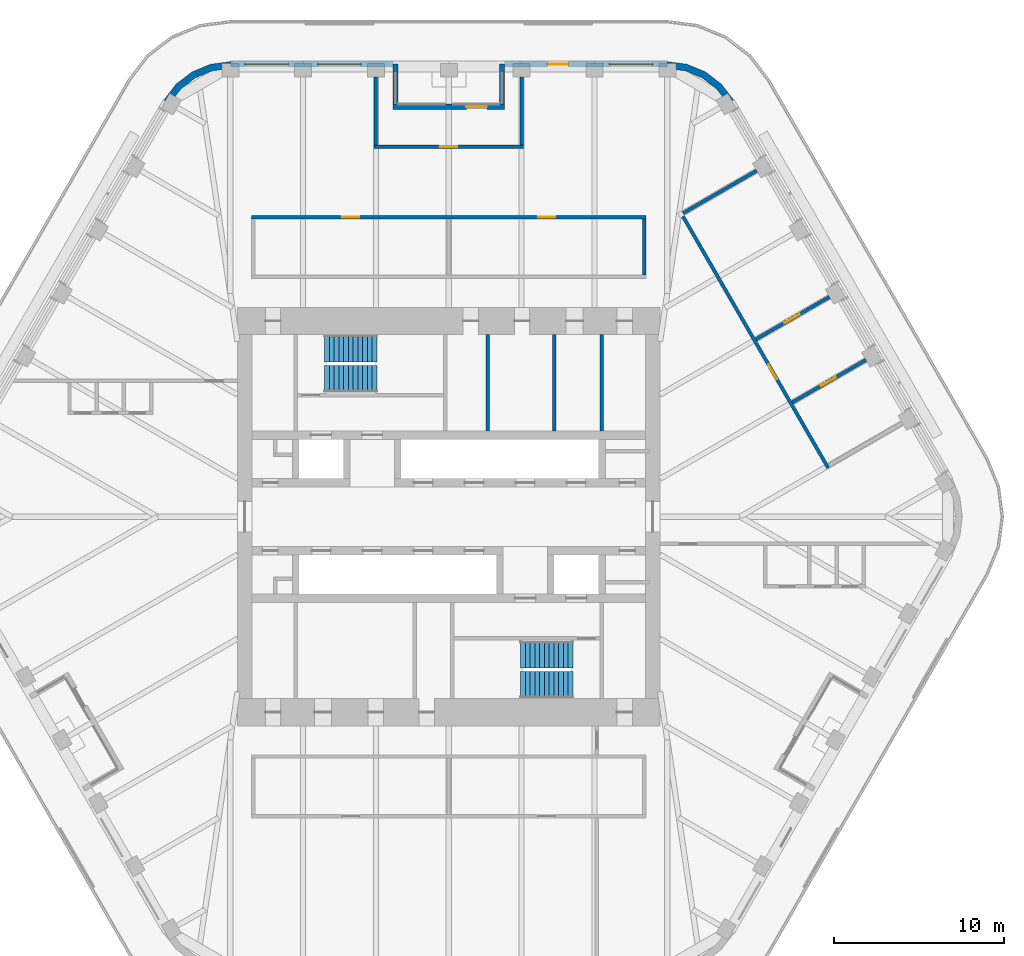
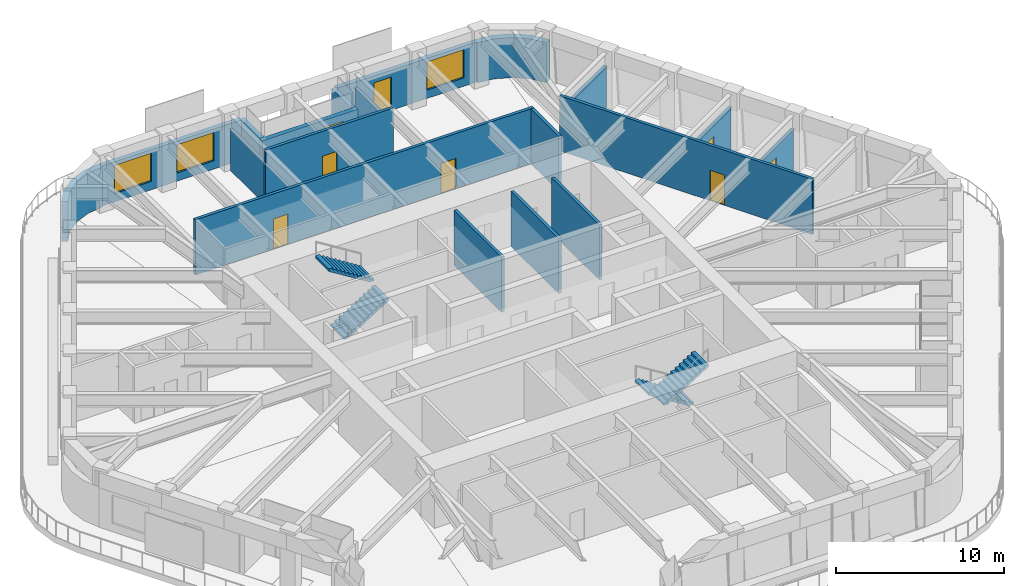
# One storey, part 16 of 19: 19 walls, 8 doors, 4 stair flights, 3 windows, 11 openings, 2 elements without a shape of their own.
"""IFC4 building model written with IfcOpenShell, lengths in metres."""

from ifc_helpers import new_model, si_unit, direction, frame, frame_2d, origin, place, context, subcontext, project, spatial, polyline, rectangle, outline, extrude, material, layer, layer_set, type_object, element, fill, aggregate, save


model = new_model("IFC4")

# Units and contexts
model_context = context("Model", 3, precision=1e-05, world=origin(), true_north=direction((0.0, 1.0)))
body_context = subcontext(model_context, "Body", "Model", "MODEL_VIEW")
ifc_project = project(units=[si_unit("LENGTHUNIT", "METRE"), si_unit("AREAUNIT", "SQUARE_METRE"), si_unit("VOLUMEUNIT", "CUBIC_METRE"), si_unit("PLANEANGLEUNIT", "RADIAN"), si_unit("MASSUNIT", "GRAM", prefix="KILO")], contexts=[model_context])

# Site, building, storey
site_placement = place(None, origin())
site = spatial("IfcSite", under=ifc_project, at=site_placement, CompositionType="ELEMENT")
building_placement = place(site_placement, origin())
building = spatial("IfcBuilding", under=site, at=building_placement, Name="Tarfa Lantern Tower", CompositionType="ELEMENT")
storey_placement = place(building_placement, frame((0.0, 0.0, 340.89990234375)))
storey = spatial("IfcBuildingStorey", under=building, at=storey_placement, Name="L77", CompositionType="ELEMENT", Elevation=340.89990234375)

# Wall, openings, door, window
ifc_material_1 = material(Name="Limestone cladding on blockwork", Category="masonry")
ifc_layer_1 = layer(ifc_material_1, 0.300048828125)
ifc_layer_set_1 = layer_set([ifc_layer_1], Name="EW1 STONE-CLAD WALL 300")
wall_type_1 = type_object("IfcWallType", Name="EW1 STONE-CLAD WALL 300", PredefinedType="SOLIDWALL", material=ifc_layer_set_1)
wall_1_placement = place(storey_placement, frame((12.845947265625, 26.60009765625, 0.0), z_axis=(0.0, 0.0, 1.0), x_axis=(-1.0, 0.0, 0.0)))
wall_1 = element("IfcWall", 1, at=wall_1_placement, inside=storey, type_object=wall_type_1, Name="Stone wall N", PredefinedType="SOLIDWALL", context=body_context, shape_type="SweptSolid", body=[
    extrude(rectangle(XDim=9.56396484375, YDim=0.300048828125, at=frame_2d((4.781982421875, 0.0))), origin(), (0.0, 0.0, 1.0), 2.900146484375),
])
opening_1_placement = place(wall_1_placement, frame((0.865966796875, 0.0, 0.60009765625)))
opening_1 = element("IfcOpeningElement", 2, at=opening_1_placement, cuts=wall_1, Name="Opening W17", PredefinedType="OPENING", context=body_context, shape_type="SweptSolid", body=[
    extrude(rectangle(XDim=2.550048828125, YDim=2.050048828125, at=frame_2d((1.27490234375, 1.02490234375))), frame((0.0, 0.159912109375, 0.0), z_axis=(0.0, -1.0, 0.0), x_axis=(1.0, 0.0, 0.0)), (0.0, 0.0, 1.0), 0.320068359375),
])
opening_2_placement = place(wall_1_placement, frame((5.822998046875, 0.0, 0.0)))
opening_2 = element("IfcOpeningElement", 3, at=opening_2_placement, cuts=wall_1, Name="Opening D38", PredefinedType="OPENING", context=body_context, shape_type="SweptSolid", body=[
    extrude(rectangle(XDim=1.199951171875, YDim=2.39990234375, at=frame_2d((0.60009765625, 1.199951171875))), frame((0.0, 0.159912109375, 0.0), z_axis=(0.0, -1.0, 0.0), x_axis=(1.0, 0.0, 0.0)), (0.0, 0.0, 1.0), 0.320068359375),
])
ifc_material_2 = material(Name="Aluminium framed glazed door", Category="aluminium")
door_type_1 = type_object("IfcDoorType", Name="BE3 BALCONY DOOR 1200x2400", OperationType="SINGLE_SWING_RIGHT", PredefinedType="DOOR", material=ifc_material_2)
door_1_placement = place(opening_2_placement, origin())
door_1 = element("IfcDoor", 4, at=door_1_placement, inside=storey, type_object=door_type_1, Name="Balcony door N", OperationType="SINGLE_SWING_LEFT", OverallHeight=2.39990234375, OverallWidth=1.199951171875, PredefinedType="DOOR", context=body_context, shape_type="SweptSolid", body=[
    extrude(rectangle(XDim=1.199951171875, YDim=2.39990234375, at=frame_2d((0.60009765625, 1.199951171875))), frame((0.0, 0.02490234375, 0.0), z_axis=(0.0, -1.0, 0.0), x_axis=(1.0, 0.0, 0.0)), (0.0, 0.0, 1.0), 0.050048828125),
])
fill(opening_2, door_1)
ifc_material_3 = material(Name="Aluminium frame, double glazed", Category="aluminium")
window_type = type_object("IfcWindowType", Name="W17 FULL-HEIGHT GLAZING 2550x2050", PartitioningType="SINGLE_PANEL", PredefinedType="WINDOW", material=ifc_material_3)
window_1_placement = place(opening_1_placement, origin())
window_1 = element("IfcWindow", 5, at=window_1_placement, inside=storey, type_object=window_type, Name="Window N 1", OverallHeight=2.050048828125, OverallWidth=2.550048828125, PartitioningType="SINGLE_PANEL", PredefinedType="WINDOW", context=body_context, shape_type="SweptSolid", body=[
    extrude(rectangle(XDim=2.550048828125, YDim=2.050048828125, at=frame_2d((1.27490234375, 1.02490234375))), frame((0.0, 0.030029296875, 0.0), z_axis=(0.0, -1.0, 0.0), x_axis=(1.0, 0.0, 0.0)), (0.0, 0.0, 1.0), 0.06005859375),
])
fill(opening_1, window_1)

# Wall, openings, windows
wall_2_placement = place(storey_placement, frame((-3.281982421875, 26.60009765625, 0.0), z_axis=(0.0, 0.0, 1.0), x_axis=(-1.0, 0.0, 0.0)))
wall_2 = element("IfcWall", 6, at=wall_2_placement, inside=storey, type_object=wall_type_1, Name="Stone wall NB", PredefinedType="SOLIDWALL", context=body_context, shape_type="SweptSolid", body=[
    extrude(rectangle(XDim=9.56396484375, YDim=0.300048828125, at=frame_2d((4.781982421875, 0.0))), origin(), (0.0, 0.0, 1.0), 2.900146484375),
])
opening_3_placement = place(wall_2_placement, frame((1.865966796875, 0.0, 0.60009765625)))
opening_3 = element("IfcOpeningElement", 7, at=opening_3_placement, cuts=wall_2, Name="Opening W17", PredefinedType="OPENING", context=body_context, shape_type="SweptSolid", body=[
    extrude(rectangle(XDim=2.550048828125, YDim=2.050048828125, at=frame_2d((1.27490234375, 1.02490234375))), frame((0.0, 0.159912109375, 0.0), z_axis=(0.0, -1.0, 0.0), x_axis=(1.0, 0.0, 0.0)), (0.0, 0.0, 1.0), 0.320068359375),
])
opening_4_placement = place(wall_2_placement, frame((6.14794921875, 0.0, 0.60009765625)))
opening_4 = element("IfcOpeningElement", 8, at=opening_4_placement, cuts=wall_2, Name="Opening W17", PredefinedType="OPENING", context=body_context, shape_type="SweptSolid", body=[
    extrude(rectangle(XDim=2.550048828125, YDim=2.050048828125, at=frame_2d((1.27490234375, 1.02490234375))), frame((0.0, 0.159912109375, 0.0), z_axis=(0.0, -1.0, 0.0), x_axis=(1.0, 0.0, 0.0)), (0.0, 0.0, 1.0), 0.320068359375),
])
window_2_placement = place(opening_3_placement, origin())
window_2 = element("IfcWindow", 9, at=window_2_placement, inside=storey, type_object=window_type, Name="Window NB 1", OverallHeight=2.050048828125, OverallWidth=2.550048828125, PartitioningType="SINGLE_PANEL", PredefinedType="WINDOW", context=body_context, shape_type="SweptSolid", body=[
    extrude(rectangle(XDim=2.550048828125, YDim=2.050048828125, at=frame_2d((1.27490234375, 1.02490234375))), frame((0.0, 0.030029296875, 0.0), z_axis=(0.0, -1.0, 0.0), x_axis=(1.0, 0.0, 0.0)), (0.0, 0.0, 1.0), 0.06005859375),
])
fill(opening_3, window_2)
window_3_placement = place(opening_4_placement, origin())
window_3 = element("IfcWindow", 10, at=window_3_placement, inside=storey, type_object=window_type, Name="Window NB 2", OverallHeight=2.050048828125, OverallWidth=2.550048828125, PartitioningType="SINGLE_PANEL", PredefinedType="WINDOW", context=body_context, shape_type="SweptSolid", body=[
    extrude(rectangle(XDim=2.550048828125, YDim=2.050048828125, at=frame_2d((1.27490234375, 1.02490234375))), frame((0.0, 0.030029296875, 0.0), z_axis=(0.0, -1.0, 0.0), x_axis=(1.0, 0.0, 0.0)), (0.0, 0.0, 1.0), 0.06005859375),
])
fill(opening_4, window_3)

# Walls
for number, where, z_axis, x_axis, name in (
    (11, (3.132080078125, 26.60009765625, 0.0), (0.0, 0.0, 1.0), (0.0, -1.0, 0.0), "Terrace return N 1"),
    (12, (-3.132080078125, 26.60009765625, 0.0), (0.0, 0.0, 1.0), (0.0, -1.0, 0.0), "Terrace return N 2"),
):
    element("IfcWall", number, at=place(storey_placement, frame(where, z_axis=z_axis, x_axis=x_axis)), inside=storey, type_object=wall_type_1, Name=name, PredefinedType="SOLIDWALL", context=body_context, shape_type="SweptSolid", body=[
        extrude(rectangle(XDim=2.35009765625, YDim=0.300048828125, at=frame_2d((1.175048828125, 0.0))), origin(), (0.0, 0.0, 1.0), 2.900146484375),
    ])

# Wall, opening, door
wall_3_placement = place(storey_placement, frame((3.281982421875, 24.10009765625, 0.0), z_axis=(0.0, 0.0, 1.0), x_axis=(-1.0, 0.0, 0.0)))
wall_3 = element("IfcWall", 13, at=wall_3_placement, inside=storey, type_object=wall_type_1, Name="Stone wall NS", PredefinedType="SOLIDWALL", context=body_context, shape_type="SweptSolid", body=[
    extrude(rectangle(XDim=6.56396484375, YDim=0.300048828125, at=frame_2d((3.281982421875, 0.0))), origin(), (0.0, 0.0, 1.0), 2.900146484375),
])
opening_5_placement = place(wall_3_placement, frame((1.041015625, 0.0, 0.0)))
opening_5 = element("IfcOpeningElement", 14, at=opening_5_placement, cuts=wall_3, Name="Opening D39", PredefinedType="OPENING", context=body_context, shape_type="SweptSolid", body=[
    extrude(rectangle(XDim=1.199951171875, YDim=2.39990234375, at=frame_2d((0.60009765625, 1.199951171875))), frame((0.0, 0.159912109375, 0.0), z_axis=(0.0, -1.0, 0.0), x_axis=(1.0, 0.0, 0.0)), (0.0, 0.0, 1.0), 0.320068359375),
])
door_2_placement = place(opening_5_placement, origin())
door_2 = element("IfcDoor", 15, at=door_2_placement, inside=storey, type_object=door_type_1, Name="Balcony door NS", OperationType="SINGLE_SWING_RIGHT", OverallHeight=2.39990234375, OverallWidth=1.199951171875, PredefinedType="DOOR", context=body_context, shape_type="SweptSolid", body=[
    extrude(rectangle(XDim=1.199951171875, YDim=2.39990234375, at=frame_2d((0.60009765625, 1.199951171875))), frame((0.0, 0.02490234375, 0.0), z_axis=(0.0, -1.0, 0.0), x_axis=(1.0, 0.0, 0.0)), (0.0, 0.0, 1.0), 0.050048828125),
])
fill(opening_5, door_2)

# Walls
ifc_layer_2 = layer(ifc_material_1, 0.39990234375)
ifc_layer_set_2 = layer_set([ifc_layer_2], Name="EW2 CURVED STONE CORNER 400")
wall_type_2 = type_object("IfcWallType", Name="EW2 CURVED STONE CORNER 400", PredefinedType="SOLIDWALL", material=ifc_layer_set_2)
wall_4_placement = place(storey_placement, origin())
element("IfcWall", 16, at=wall_4_placement, inside=storey, type_object=wall_type_2, Name="Stone corner NE-N", PredefinedType="SOLIDWALL", context=body_context, shape_type="SweptSolid", body=[
    extrude(outline(polyline([(16.7431640625, 24.5), (16.028076171875, 25.431884765625), (15.095947265625, 26.147216796875), (14.0107421875, 26.5966796875), (12.845947265625, 26.75), (12.845947265625, 26.35009765625), (13.9072265625, 26.210205078125), (14.89599609375, 25.80078125), (15.7451171875, 25.149169921875), (16.396728515625, 24.300048828125), (16.7431640625, 24.5)])), origin(), (0.0, 0.0, 1.0), 2.900146484375),
])
wall_5_placement = place(storey_placement, origin())
element("IfcWall", 17, at=wall_5_placement, inside=storey, type_object=wall_type_2, Name="Stone corner N-NW", PredefinedType="SOLIDWALL", context=body_context, shape_type="SweptSolid", body=[
    extrude(outline(polyline([(-12.845947265625, 26.75), (-14.0107421875, 26.5966796875), (-15.095947265625, 26.147216796875), (-16.028076171875, 25.431884765625), (-16.7431640625, 24.5), (-16.396728515625, 24.300048828125), (-15.7451171875, 25.149169921875), (-14.89599609375, 25.80078125), (-13.9072265625, 26.210205078125), (-12.845947265625, 26.35009765625), (-12.845947265625, 26.75)])), origin(), (0.0, 0.0, 1.0), 2.900146484375),
])
ifc_material_4 = material(Name="Concrete blockwork", Category="masonry")
ifc_layer_3 = layer(ifc_material_4, 0.199951171875)
ifc_layer_set_3 = layer_set([ifc_layer_3], Name="IW1 BLOCKWORK PARTITION 200 EI 120")
wall_type_3 = type_object("IfcWallType", Name="IW1 BLOCKWORK PARTITION 200 EI 120", PredefinedType="PARTITIONING", material=ifc_layer_set_3)
for number, where, z_axis, x_axis, name in (
    (18, (9.0, 5.050048828125, 0.0), (0.0, 0.0, 1.0), (0.0, 1.0, 0.0), "Core partition"),
    (19, (2.300048828125, 5.050048828125, 0.0), (0.0, 0.0, 1.0), (0.0, 1.0, 0.0), "Core partition"),
    (20, (6.199951171875, 5.050048828125, 0.0), (0.0, 0.0, 1.0), (0.0, 1.0, 0.0), "Core partition"),
):
    element("IfcWall", number, at=place(storey_placement, frame(where, z_axis=z_axis, x_axis=x_axis)), inside=storey, type_object=wall_type_3, Name=name, PredefinedType="PARTITIONING", context=body_context, shape_type="SweptSolid", body=[
        extrude(rectangle(XDim=5.64990234375, YDim=0.199951171875, at=frame_2d((2.824951171875, 0.0))), origin(), (0.0, 0.0, 1.0), 4.0),
    ])

# Wall, openings, doors
ifc_material_5 = material(Name="Gypsum board on steel studs", Category="steel")
ifc_layer_4 = layer(ifc_material_5, 0.2099609375)
ifc_layer_set_4 = layer_set([ifc_layer_4], Name="IW2 ACOUSTIC PARTITION 200")
wall_type_4 = type_object("IfcWallType", Name="IW2 ACOUSTIC PARTITION 200", PredefinedType="PARTITIONING", material=ifc_layer_set_4)
wall_6_placement = place(storey_placement, frame((-11.60009765625, 17.60009765625, 0.0), z_axis=(0.0, 0.0, 1.0), x_axis=(1.0, 0.0, 0.0)))
wall_6 = element("IfcWall", 21, at=wall_6_placement, inside=storey, type_object=wall_type_4, Name="Partition", PredefinedType="PARTITIONING", context=body_context, shape_type="SweptSolid", body=[
    extrude(rectangle(XDim=23.2001953125, YDim=0.199951171875, at=frame_2d((11.60009765625, 0.0))), origin(), (0.0, 0.0, 1.0), 4.0),
])
opening_6_placement = place(wall_6_placement, frame((5.35009765625, 0.0, 0.0)))
opening_6 = element("IfcOpeningElement", 22, at=opening_6_placement, cuts=wall_6, Name="Opening D25", PredefinedType="OPENING", context=body_context, shape_type="SweptSolid", body=[
    extrude(rectangle(XDim=1.0, YDim=2.199951171875, at=frame_2d((0.5, 1.10009765625))), frame((0.0, 0.10986328125, 0.0), z_axis=(0.0, -1.0, 0.0), x_axis=(1.0, 0.0, 0.0)), (0.0, 0.0, 1.0), 0.219970703125),
])
opening_7_placement = place(wall_6_placement, frame((16.85009765625, 0.0, 0.0)))
opening_7 = element("IfcOpeningElement", 23, at=opening_7_placement, cuts=wall_6, Name="Opening D26", PredefinedType="OPENING", context=body_context, shape_type="SweptSolid", body=[
    extrude(rectangle(XDim=1.0, YDim=2.199951171875, at=frame_2d((0.5, 1.10009765625))), frame((0.0, 0.10986328125, 0.0), z_axis=(0.0, -1.0, 0.0), x_axis=(1.0, 0.0, 0.0)), (0.0, 0.0, 1.0), 0.219970703125),
])
ifc_material_6 = material(Name="Timber door", Category="wood")
door_type_2 = type_object("IfcDoorType", Name="DR1 ROOM DOOR 1000x2200", OperationType="SINGLE_SWING_LEFT", PredefinedType="DOOR", material=ifc_material_6)
door_3_placement = place(opening_6_placement, frame((1.0, 0.0, 0.0), z_axis=(0.0, 0.0, 1.0), x_axis=(-1.0, 0.0, 0.0)))
door_3 = element("IfcDoor", 24, at=door_3_placement, inside=storey, type_object=door_type_2, Name="Meeting room door", OperationType="SINGLE_SWING_LEFT", OverallHeight=2.199951171875, OverallWidth=1.0, PredefinedType="DOOR", context=body_context, shape_type="SweptSolid", body=[
    extrude(rectangle(XDim=1.0, YDim=2.199951171875, at=frame_2d((0.5, 1.10009765625))), frame((0.0, 0.02490234375, 0.0), z_axis=(0.0, -1.0, 0.0), x_axis=(1.0, 0.0, 0.0)), (0.0, 0.0, 1.0), 0.050048828125),
])
fill(opening_6, door_3)
door_4_placement = place(opening_7_placement, frame((1.0, 0.0, 0.0), z_axis=(0.0, 0.0, 1.0), x_axis=(-1.0, 0.0, 0.0)))
door_4 = element("IfcDoor", 25, at=door_4_placement, inside=storey, type_object=door_type_2, Name="Pantry door", OperationType="SINGLE_SWING_RIGHT", OverallHeight=2.199951171875, OverallWidth=1.0, PredefinedType="DOOR", context=body_context, shape_type="SweptSolid", body=[
    extrude(rectangle(XDim=1.0, YDim=2.199951171875, at=frame_2d((0.5, 1.10009765625))), frame((0.0, 0.02490234375, 0.0), z_axis=(0.0, -1.0, 0.0), x_axis=(1.0, 0.0, 0.0)), (0.0, 0.0, 1.0), 0.050048828125),
])
fill(opening_7, door_4)

# Wall
wall_7_placement = place(storey_placement, frame((11.5, 14.199951171875, 0.0), z_axis=(0.0, 0.0, 1.0), x_axis=(0.0, 1.0, 0.0)))
element("IfcWall", 26, at=wall_7_placement, inside=storey, type_object=wall_type_4, Name="Partition", PredefinedType="PARTITIONING", context=body_context, shape_type="SweptSolid", body=[
    extrude(rectangle(XDim=3.300048828125, YDim=0.199951171875, at=frame_2d((1.64990234375, 0.0))), origin(), (0.0, 0.0, 1.0), 4.0),
])

# Wall, opening, door
wall_8_placement = place(storey_placement, frame((4.382080078125, 21.75, 0.0), z_axis=(0.0, 0.0, 1.0), x_axis=(-1.0, 0.0, 0.0)))
wall_8 = element("IfcWall", 27, at=wall_8_placement, inside=storey, type_object=wall_type_4, Name="Partition", PredefinedType="PARTITIONING", context=body_context, shape_type="SweptSolid", body=[
    extrude(rectangle(XDim=8.76416015625, YDim=0.199951171875, at=frame_2d((4.382080078125, 0.0))), origin(), (0.0, 0.0, 1.0), 4.0),
])
opening_8_placement = place(wall_8_placement, frame((3.882080078125, 0.0, 0.0)))
opening_8 = element("IfcOpeningElement", 28, at=opening_8_placement, cuts=wall_8, Name="Opening D21", PredefinedType="OPENING", context=body_context, shape_type="SweptSolid", body=[
    extrude(rectangle(XDim=1.0, YDim=2.199951171875, at=frame_2d((0.5, 1.10009765625))), frame((0.0, 0.10986328125, 0.0), z_axis=(0.0, -1.0, 0.0), x_axis=(1.0, 0.0, 0.0)), (0.0, 0.0, 1.0), 0.219970703125),
])
door_5_placement = place(opening_8_placement, frame((1.0, 0.0, 0.0), z_axis=(0.0, 0.0, 1.0), x_axis=(-1.0, 0.0, 0.0)))
door_5 = element("IfcDoor", 29, at=door_5_placement, inside=storey, type_object=door_type_2, Name="Meeting room door", OperationType="SINGLE_SWING_LEFT", OverallHeight=2.199951171875, OverallWidth=1.0, PredefinedType="DOOR", context=body_context, shape_type="SweptSolid", body=[
    extrude(rectangle(XDim=1.0, YDim=2.199951171875, at=frame_2d((0.5, 1.10009765625))), frame((0.0, 0.02490234375, 0.0), z_axis=(0.0, -1.0, 0.0), x_axis=(1.0, 0.0, 0.0)), (0.0, 0.0, 1.0), 0.050048828125),
])
fill(opening_8, door_5)

# Walls
for number, where, z_axis, x_axis, name in (
    (30, (4.281982421875, 21.85009765625, 0.0), (0.0, 0.0, 1.0), (0.0, 1.0, 0.0), "Partition"),
    (31, (-4.281982421875, 21.85009765625, 0.0), (0.0, 0.0, 1.0), (0.0, 1.0, 0.0), "Partition"),
):
    element("IfcWall", number, at=place(storey_placement, frame(where, z_axis=z_axis, x_axis=x_axis)), inside=storey, type_object=wall_type_4, Name=name, PredefinedType="PARTITIONING", context=body_context, shape_type="SweptSolid", body=[
        extrude(rectangle(XDim=4.0, YDim=0.199951171875, at=frame_2d((2.0, 0.0))), origin(), (0.0, 0.0, 1.0), 2.991943359375),
    ])

# Wall, opening, door
wall_9_placement = place(storey_placement, frame((22.302001953125, 2.871826171875, 0.0), z_axis=(0.0, 0.0, 1.0), x_axis=(-0.500006217173, 0.866021814268, 0.0)))
wall_9 = element("IfcWall", 32, at=wall_9_placement, inside=storey, type_object=wall_type_4, Name="Partition", PredefinedType="PARTITIONING", context=body_context, shape_type="SweptSolid", body=[
    extrude(rectangle(XDim=17.327880859375, YDim=0.199951171875, at=frame_2d((8.6640625, 0.0))), origin(), (0.0, 0.0, 1.0), 4.0),
])
opening_9_placement = place(wall_9_placement, frame((6.02294921875, 0.0, 0.0)))
opening_9 = element("IfcOpeningElement", 33, at=opening_9_placement, cuts=wall_9, Name="Opening D23", PredefinedType="OPENING", context=body_context, shape_type="SweptSolid", body=[
    extrude(rectangle(XDim=1.0, YDim=2.199951171875, at=frame_2d((0.5, 1.10009765625))), frame((0.0, 0.10986328125, 0.0), z_axis=(0.0, -1.0, 0.0), x_axis=(1.0, 0.0, 0.0)), (0.0, 0.0, 1.0), 0.219970703125),
])
door_6_placement = place(opening_9_placement, frame((1.0, 0.0, 0.0), z_axis=(0.0, 0.0, 1.0), x_axis=(-1.0, 0.0, 0.0)))
door_6 = element("IfcDoor", 34, at=door_6_placement, inside=storey, type_object=door_type_2, Name="PA area door", OperationType="SINGLE_SWING_LEFT", OverallHeight=2.199951171875, OverallWidth=1.0, PredefinedType="DOOR", context=body_context, shape_type="SweptSolid", body=[
    extrude(rectangle(XDim=1.0, YDim=2.199951171875, at=frame_2d((0.5, 1.10009765625))), frame((0.0, 0.02490234375, 0.0), z_axis=(0.0, -1.0, 0.0), x_axis=(1.0, 0.0, 0.0)), (0.0, 0.0, 1.0), 0.050048828125),
])
fill(opening_9, door_6)

wall_10_placement = place(storey_placement, frame((20.19775390625, 6.716552734375, 0.0), z_axis=(0.0, 0.0, 1.0), x_axis=(0.866022959057, 0.500004234368, 0.0)))
wall_10 = element("IfcWall", 35, at=wall_10_placement, inside=storey, type_object=wall_type_4, Name="Partition", PredefinedType="PARTITIONING", context=body_context, shape_type="SweptSolid", body=[
    extrude(rectangle(XDim=5.0, YDim=0.199951171875, at=frame_2d((2.5, 0.0))), origin(), (0.0, 0.0, 1.0), 2.991943359375),
])
opening_10_placement = place(wall_10_placement, frame((1.949951171875, 0.0, 0.0)))
opening_10 = element("IfcOpeningElement", 36, at=opening_10_placement, cuts=wall_10, Name="Opening D22", PredefinedType="OPENING", context=body_context, shape_type="SweptSolid", body=[
    extrude(rectangle(XDim=1.0, YDim=2.199951171875, at=frame_2d((0.5, 1.10009765625))), frame((0.0, 0.10986328125, 0.0), z_axis=(0.0, -1.0, 0.0), x_axis=(1.0, 0.0, 0.0)), (0.0, 0.0, 1.0), 0.219970703125),
])
door_7_placement = place(opening_10_placement, frame((1.0, 0.0, 0.0), z_axis=(0.0, 0.0, 1.0), x_axis=(-1.0, 0.0, 0.0)))
door_7 = element("IfcDoor", 37, at=door_7_placement, inside=storey, type_object=door_type_2, Name="Executive office door", OperationType="SINGLE_SWING_LEFT", OverallHeight=2.199951171875, OverallWidth=1.0, PredefinedType="DOOR", context=body_context, shape_type="SweptSolid", body=[
    extrude(rectangle(XDim=1.0, YDim=2.199951171875, at=frame_2d((0.5, 1.10009765625))), frame((0.0, 0.02490234375, 0.0), z_axis=(0.0, -1.0, 0.0), x_axis=(1.0, 0.0, 0.0)), (0.0, 0.0, 1.0), 0.050048828125),
])
fill(opening_10, door_7)

wall_11_placement = place(storey_placement, frame((18.056640625, 10.425048828125, 0.0), z_axis=(0.0, 0.0, 1.0), x_axis=(0.866022959057, 0.500004234368, 0.0)))
wall_11 = element("IfcWall", 38, at=wall_11_placement, inside=storey, type_object=wall_type_4, Name="Partition", PredefinedType="PARTITIONING", context=body_context, shape_type="SweptSolid", body=[
    extrude(rectangle(XDim=5.0, YDim=0.199951171875, at=frame_2d((2.5, 0.0))), origin(), (0.0, 0.0, 1.0), 3.081787109375),
])
opening_11_placement = place(wall_11_placement, frame((1.949951171875, 0.0, 0.0)))
opening_11 = element("IfcOpeningElement", 39, at=opening_11_placement, cuts=wall_11, Name="Opening D24", PredefinedType="OPENING", context=body_context, shape_type="SweptSolid", body=[
    extrude(rectangle(XDim=1.0, YDim=2.199951171875, at=frame_2d((0.5, 1.10009765625))), frame((0.0, 0.10986328125, 0.0), z_axis=(0.0, -1.0, 0.0), x_axis=(1.0, 0.0, 0.0)), (0.0, 0.0, 1.0), 0.219970703125),
])
door_8_placement = place(opening_11_placement, frame((1.0, 0.0, 0.0), z_axis=(0.0, 0.0, 1.0), x_axis=(-1.0, 0.0, 0.0)))
door_8 = element("IfcDoor", 40, at=door_8_placement, inside=storey, type_object=door_type_2, Name="Executive meeting room door", OperationType="SINGLE_SWING_LEFT", OverallHeight=2.199951171875, OverallWidth=1.0, PredefinedType="DOOR", context=body_context, shape_type="SweptSolid", body=[
    extrude(rectangle(XDim=1.0, YDim=2.199951171875, at=frame_2d((0.5, 1.10009765625))), frame((0.0, 0.02490234375, 0.0), z_axis=(0.0, -1.0, 0.0), x_axis=(1.0, 0.0, 0.0)), (0.0, 0.0, 1.0), 0.050048828125),
])
fill(opening_11, door_8)

# Wall
wall_12_placement = place(storey_placement, frame((13.774658203125, 17.841552734375, 0.0), z_axis=(0.0, 0.0, 1.0), x_axis=(0.866022959057, 0.500004234368, 0.0)))
element("IfcWall", 41, at=wall_12_placement, inside=storey, type_object=wall_type_4, Name="Partition", PredefinedType="PARTITIONING", context=body_context, shape_type="SweptSolid", body=[
    extrude(rectangle(XDim=5.0, YDim=0.199951171875, at=frame_2d((2.5, 0.0))), origin(), (0.0, 0.0, 1.0), 3.081787109375),
])

# Stair, stair flights
ifc_material_7 = material(Name="Concrete C40/50", Category="concrete")
stair_type = type_object("IfcStairType", Name="ST-T10 HALF-TURN STAIR 4200 RISE", PredefinedType="HALF_TURN_STAIR", material=ifc_material_7)
stair_1_placement = place(storey_placement, origin())
stair_1 = element("IfcStair", 42, at=stair_1_placement, inside=storey, type_object=stair_type, Name="Stair ST1", PredefinedType="HALF_TURN_STAIR")
stair_flight_type = type_object("IfcStairFlightType", Name="SF1 STAIR FLIGHT", PredefinedType="STRAIGHT", material=ifc_material_7)
stair_flight_1_placement = place(storey_placement, frame((-7.300048828125, 8.10009765625, 0.0), z_axis=(0.0, 0.0, 1.0), x_axis=(1.0, 0.0, 0.0)))
stair_flight_1 = element("IfcStairFlight", 43, at=stair_flight_1_placement, type_object=stair_flight_type, Name="ST1 flight 1", NumberOfRisers=12, NumberOfTreads=11, PredefinedType="STRAIGHT", RiserHeight=0.175, TreadLength=0.28, context=body_context, shape_type="SweptSolid", body=[
    extrude(outline(polyline([(0.0, 0.0), (0.0, 0.175048828125), (0.280029296875, 0.175048828125), (0.280029296875, 0.35009765625), (0.56005859375, 0.35009765625), (0.56005859375, 0.52490234375), (0.840087890625, 0.52490234375), (0.840087890625, 0.699951171875), (1.1201171875, 0.699951171875), (1.1201171875, 0.875), (1.39990234375, 0.875), (1.39990234375, 1.050048828125), (1.679931640625, 1.050048828125), (1.679931640625, 1.22509765625), (1.9599609375, 1.22509765625), (1.9599609375, 1.39990234375), (2.239990234375, 1.39990234375), (2.239990234375, 1.574951171875), (2.52001953125, 1.574951171875), (2.52001953125, 1.75), (2.800048828125, 1.75), (2.800048828125, 1.925048828125), (3.080078125, 1.925048828125), (3.080078125, 2.10009765625), (3.080078125, 1.748291015625), (0.28271484375, 0.0), (0.0, 0.0)])), frame((0.0, 0.800048828125, 0.0), z_axis=(0.0, -1.0, 0.0), x_axis=(1.0, 0.0, 0.0)), (0.0, 0.0, 1.0), 1.60009765625),
])
stair_flight_2_placement = place(storey_placement, frame((-4.219970703125, 9.89990234375, 2.10009765625), z_axis=(0.0, 0.0, 1.0), x_axis=(-1.0, 0.0, 0.0)))
stair_flight_2 = element("IfcStairFlight", 44, at=stair_flight_2_placement, type_object=stair_flight_type, Name="ST1 flight 2", NumberOfRisers=12, NumberOfTreads=11, PredefinedType="STRAIGHT", RiserHeight=0.175, TreadLength=0.28, context=body_context, shape_type="SweptSolid", body=[
    extrude(outline(polyline([(0.0, 0.0), (0.0, 0.175048828125), (0.280029296875, 0.175048828125), (0.280029296875, 0.35009765625), (0.56005859375, 0.35009765625), (0.56005859375, 0.52490234375), (0.840087890625, 0.52490234375), (0.840087890625, 0.699951171875), (1.1201171875, 0.699951171875), (1.1201171875, 0.875), (1.39990234375, 0.875), (1.39990234375, 1.050048828125), (1.679931640625, 1.050048828125), (1.679931640625, 1.22509765625), (1.9599609375, 1.22509765625), (1.9599609375, 1.39990234375), (2.239990234375, 1.39990234375), (2.239990234375, 1.574951171875), (2.52001953125, 1.574951171875), (2.52001953125, 1.75), (2.800048828125, 1.75), (2.800048828125, 1.925048828125), (3.080078125, 1.925048828125), (3.080078125, 2.10009765625), (3.080078125, 1.748291015625), (0.28271484375, 0.0), (0.0, 0.0)])), frame((0.0, 0.800048828125, 0.0), z_axis=(0.0, -1.0, 0.0), x_axis=(1.0, 0.0, 0.0)), (0.0, 0.0, 1.0), 1.60009765625),
])
aggregate(stair_1, [stair_flight_1, stair_flight_2])

stair_2_placement = place(storey_placement, origin())
stair_2 = element("IfcStair", 45, at=stair_2_placement, inside=storey, type_object=stair_type, Name="Stair ST2", PredefinedType="HALF_TURN_STAIR")
stair_flight_3_placement = place(storey_placement, frame((7.300048828125, -8.10009765625, 0.0), z_axis=(0.0, 0.0, 1.0), x_axis=(-1.0, 0.0, 0.0)))
stair_flight_3 = element("IfcStairFlight", 46, at=stair_flight_3_placement, type_object=stair_flight_type, Name="ST2 flight 1", NumberOfRisers=12, NumberOfTreads=11, PredefinedType="STRAIGHT", RiserHeight=0.175, TreadLength=0.28, context=body_context, shape_type="SweptSolid", body=[
    extrude(outline(polyline([(0.0, 0.0), (0.0, 0.175048828125), (0.280029296875, 0.175048828125), (0.280029296875, 0.35009765625), (0.56005859375, 0.35009765625), (0.56005859375, 0.52490234375), (0.840087890625, 0.52490234375), (0.840087890625, 0.699951171875), (1.1201171875, 0.699951171875), (1.1201171875, 0.875), (1.39990234375, 0.875), (1.39990234375, 1.050048828125), (1.679931640625, 1.050048828125), (1.679931640625, 1.22509765625), (1.9599609375, 1.22509765625), (1.9599609375, 1.39990234375), (2.239990234375, 1.39990234375), (2.239990234375, 1.574951171875), (2.52001953125, 1.574951171875), (2.52001953125, 1.75), (2.800048828125, 1.75), (2.800048828125, 1.925048828125), (3.080078125, 1.925048828125), (3.080078125, 2.10009765625), (3.080078125, 1.748291015625), (0.28271484375, 0.0), (0.0, 0.0)])), frame((0.0, 0.800048828125, 0.0), z_axis=(0.0, -1.0, 0.0), x_axis=(1.0, 0.0, 0.0)), (0.0, 0.0, 1.0), 1.60009765625),
])
stair_flight_4_placement = place(storey_placement, frame((4.219970703125, -9.89990234375, 2.10009765625), z_axis=(0.0, 0.0, 1.0), x_axis=(1.0, 0.0, 0.0)))
stair_flight_4 = element("IfcStairFlight", 47, at=stair_flight_4_placement, type_object=stair_flight_type, Name="ST2 flight 2", NumberOfRisers=12, NumberOfTreads=11, PredefinedType="STRAIGHT", RiserHeight=0.175, TreadLength=0.28, context=body_context, shape_type="SweptSolid", body=[
    extrude(outline(polyline([(0.0, 0.0), (0.0, 0.175048828125), (0.280029296875, 0.175048828125), (0.280029296875, 0.35009765625), (0.56005859375, 0.35009765625), (0.56005859375, 0.52490234375), (0.840087890625, 0.52490234375), (0.840087890625, 0.699951171875), (1.1201171875, 0.699951171875), (1.1201171875, 0.875), (1.39990234375, 0.875), (1.39990234375, 1.050048828125), (1.679931640625, 1.050048828125), (1.679931640625, 1.22509765625), (1.9599609375, 1.22509765625), (1.9599609375, 1.39990234375), (2.239990234375, 1.39990234375), (2.239990234375, 1.574951171875), (2.52001953125, 1.574951171875), (2.52001953125, 1.75), (2.800048828125, 1.75), (2.800048828125, 1.925048828125), (3.080078125, 1.925048828125), (3.080078125, 2.10009765625), (3.080078125, 1.748291015625), (0.28271484375, 0.0), (0.0, 0.0)])), frame((0.0, 0.800048828125, 0.0), z_axis=(0.0, -1.0, 0.0), x_axis=(1.0, 0.0, 0.0)), (0.0, 0.0, 1.0), 1.60009765625),
])
aggregate(stair_2, [stair_flight_3, stair_flight_4])

save(model, "model.ifc")
